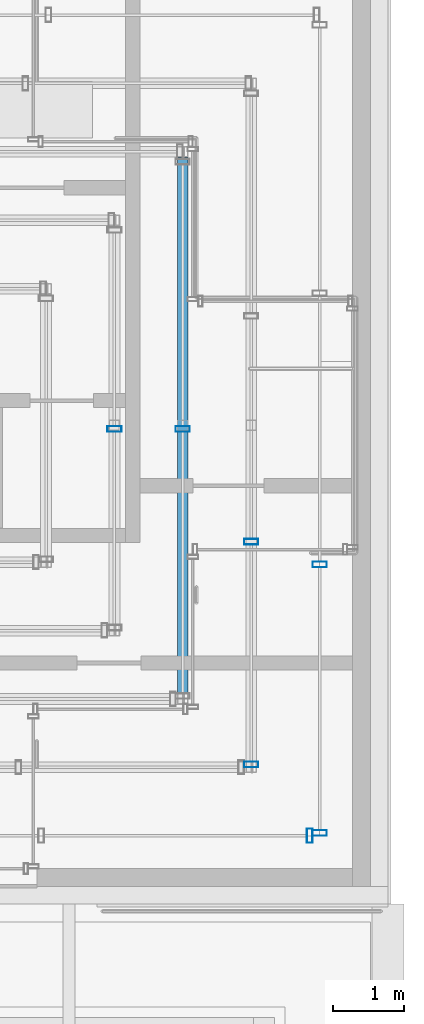
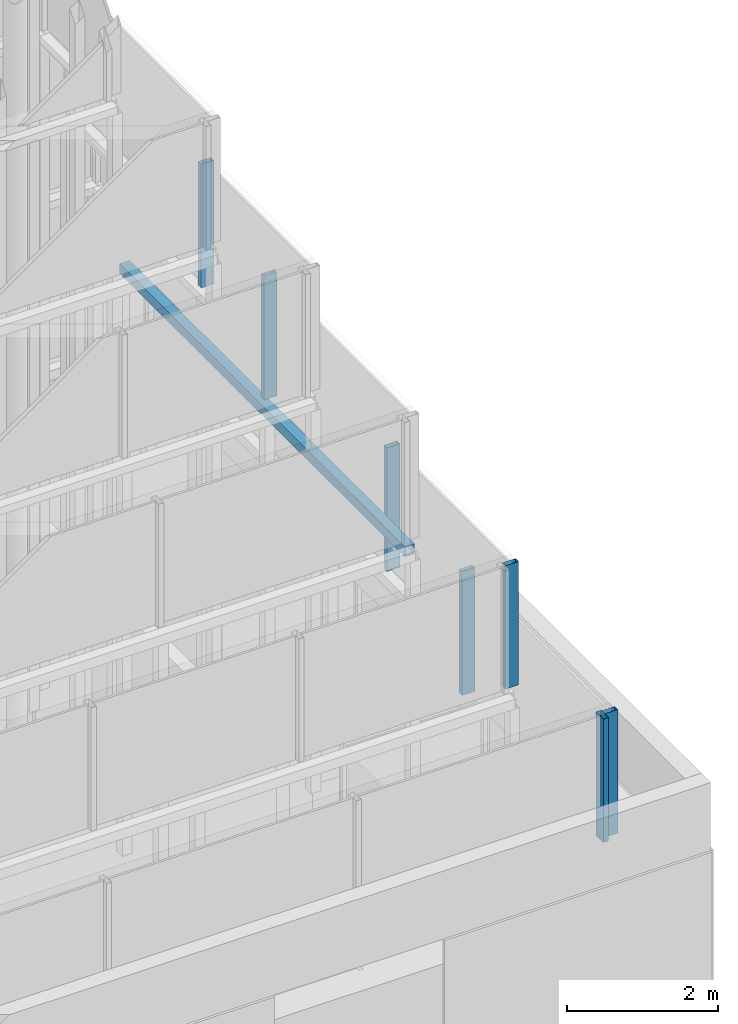
# One storey, part 42 of 62: 7 members, 1 beam, 5 elements without a shape of their own.
"""IFC4 building model written with IfcOpenShell, lengths in metres."""

from ifc_helpers import new_model, si_unit, direction, frame, origin, origin_2d, place, context, subcontext, project, spatial, hollow_rectangle, extrude, material, material_profile, profile_set, type_object, element, aggregate, save


model = new_model("IFC4")

# Units and contexts
model_context = context("Model", 3, precision=1e-05, world=origin(), true_north=direction((0.0, 1.0)))
body_context = subcontext(model_context, "Body", "Model", "MODEL_VIEW")
ifc_project = project(units=[si_unit("LENGTHUNIT", "METRE"), si_unit("AREAUNIT", "SQUARE_METRE"), si_unit("VOLUMEUNIT", "CUBIC_METRE"), si_unit("PLANEANGLEUNIT", "RADIAN"), si_unit("MASSUNIT", "GRAM", prefix="KILO")], contexts=[model_context])

# Site, building, storey
site_placement = place(None, origin())
site = spatial("IfcSite", under=ifc_project, at=site_placement, CompositionType="ELEMENT")
building_placement = place(site_placement, origin())
building = spatial("IfcBuilding", under=site, at=building_placement, Name="Altepetl Exchange Towers", CompositionType="ELEMENT")
storey_placement = place(building_placement, frame((0.0, 0.0, 210.0)))
storey = spatial("IfcBuildingStorey", under=building, at=storey_placement, Name="L53", CompositionType="ELEMENT", Elevation=210.0)

# Beam
ifc_material_1 = material(Name="Steel S355", Category="steel")
ifc_material_profile_1 = material_profile(ifc_material_1, hollow_rectangle(XDim=0.14990234375, YDim=0.159912109375, WallThickness=0.008056640625, at=origin_2d()), Name="RHS 160x150x8")
ifc_profile_set_1 = profile_set([ifc_material_profile_1], Name="Steel S355")
beam_type = type_object("IfcBeamType", Name="Crown ring beam hollow section 150x160x8", PredefinedType="BEAM", material=ifc_profile_set_1)
beam_placement = place(storey_placement, frame((114.107177734375, 38.9677734375, 7.669921875), z_axis=(0.0, 1.0, 0.0), x_axis=(-1.0, 0.0, 0.0)))
element("IfcBeam", 1, at=beam_placement, inside=storey, type_object=beam_type, Name="Crown ring beam", PredefinedType="BEAM", context=body_context, shape_type="SweptSolid", body=[
    extrude(hollow_rectangle(XDim=0.14990234375, YDim=0.159912109375, WallThickness=0.008056640625, at=origin_2d()), origin(), (0.0, 0.0, 1.0), 7.564453125),
])

# Curtain wall, member
ifc_material_2 = material(Name="Aluminium 6063-T6 glazing", Category="aluminium")
curtain_wall_type = type_object("IfcCurtainWallType", Name="Crown glazing system", PredefinedType="NOTDEFINED", material=ifc_material_2)
curtain_wall_1_placement = place(storey_placement, origin())
curtain_wall_1 = element("IfcCurtainWall", 2, at=curtain_wall_1_placement, inside=storey, type_object=curtain_wall_type, Name="CW7 run", PredefinedType="NOTDEFINED")
ifc_material_3 = material(Name="Aluminium 6063-T6", Category="aluminium")
ifc_material_profile_2 = material_profile(ifc_material_3, hollow_rectangle(XDim=0.080078125, YDim=0.199951171875, WallThickness=0.0029296875, at=origin_2d()), Name="Mullion 80x200 hollow aluminium")
ifc_profile_set_2 = profile_set([ifc_material_profile_2], Name="Aluminium 6063-T6")
member_type = type_object("IfcMemberType", Name="Mullion 80x200 hollow aluminium", PredefinedType="MULLION", material=ifc_profile_set_2)
member_1_placement = place(storey_placement, frame((115.895751953125, 36.96435546875, 3.60009765625)))
member_1 = element("IfcMember", 3, at=member_1_placement, type_object=member_type, Name="MU5 mullion", PredefinedType="MULLION", context=body_context, shape_type="SweptSolid", body=[
    extrude(hollow_rectangle(XDim=0.080078125, YDim=0.199951171875, WallThickness=0.0029296875, at=origin_2d()), origin(), (0.0, 0.0, 1.0), 2.0),
])
aggregate(curtain_wall_1, [member_1])

# Curtain wall, members
curtain_wall_2_placement = place(storey_placement, origin())
curtain_wall_2 = element("IfcCurtainWall", 4, at=curtain_wall_2_placement, inside=storey, type_object=curtain_wall_type, Name="CW7 run", PredefinedType="NOTDEFINED")
member_2_placement = place(storey_placement, frame((116.03564453125, 37.00439453125, 3.60009765625), z_axis=(0.0, 0.0, 1.0), x_axis=(0.0, 1.0, 0.0)))
member_2 = element("IfcMember", 5, at=member_2_placement, type_object=member_type, Name="MU5 mullion", PredefinedType="MULLION", context=body_context, shape_type="SweptSolid", body=[
    extrude(hollow_rectangle(XDim=0.080078125, YDim=0.199951171875, WallThickness=0.0029296875, at=origin_2d()), origin(), (0.0, 0.0, 1.0), 2.0),
])
member_3_placement = place(storey_placement, frame((116.03564453125, 40.7880859375, 3.60009765625), z_axis=(0.0, 0.0, 1.0), x_axis=(0.0, 1.0, 0.0)))
member_3 = element("IfcMember", 6, at=member_3_placement, type_object=member_type, Name="MU5 mullion", PredefinedType="MULLION", context=body_context, shape_type="SweptSolid", body=[
    extrude(hollow_rectangle(XDim=0.080078125, YDim=0.199951171875, WallThickness=0.0029296875, at=origin_2d()), origin(), (0.0, 0.0, 1.0), 2.0),
])
aggregate(curtain_wall_2, [member_2, member_3])

curtain_wall_3_placement = place(storey_placement, origin())
curtain_wall_3 = element("IfcCurtainWall", 7, at=curtain_wall_3_placement, inside=storey, type_object=curtain_wall_type, Name="CW7 run", PredefinedType="NOTDEFINED")
member_4_placement = place(storey_placement, frame((115.071533203125, 37.968505859375, 5.75), z_axis=(0.0, 0.0, 1.0), x_axis=(0.0, 1.0, 0.0)))
member_4 = element("IfcMember", 8, at=member_4_placement, type_object=member_type, Name="MU5 mullion", PredefinedType="MULLION", context=body_context, shape_type="SweptSolid", body=[
    extrude(hollow_rectangle(XDim=0.080078125, YDim=0.199951171875, WallThickness=0.0029296875, at=origin_2d()), origin(), (0.0, 0.0, 1.0), 2.0),
])
member_5_placement = place(storey_placement, frame((115.071533203125, 41.109619140625, 5.75), z_axis=(0.0, 0.0, 1.0), x_axis=(0.0, 1.0, 0.0)))
member_5 = element("IfcMember", 9, at=member_5_placement, type_object=member_type, Name="MU5 mullion", PredefinedType="MULLION", context=body_context, shape_type="SweptSolid", body=[
    extrude(hollow_rectangle(XDim=0.080078125, YDim=0.199951171875, WallThickness=0.0029296875, at=origin_2d()), origin(), (0.0, 0.0, 1.0), 2.0),
])
aggregate(curtain_wall_3, [member_4, member_5])

# Curtain wall, member
curtain_wall_4_placement = place(storey_placement, origin())
curtain_wall_4 = element("IfcCurtainWall", 10, at=curtain_wall_4_placement, inside=storey, type_object=curtain_wall_type, Name="CW7 run", PredefinedType="NOTDEFINED")
member_6_placement = place(storey_placement, frame((114.107177734375, 42.699951171875, 7.89990234375), z_axis=(0.0, 0.0, 1.0), x_axis=(0.0, 1.0, 0.0)))
member_6 = element("IfcMember", 11, at=member_6_placement, type_object=member_type, Name="MU5 mullion", PredefinedType="MULLION", context=body_context, shape_type="SweptSolid", body=[
    extrude(hollow_rectangle(XDim=0.080078125, YDim=0.199951171875, WallThickness=0.0029296875, at=origin_2d()), origin(), (0.0, 0.0, 1.0), 2.0),
])
aggregate(curtain_wall_4, [member_6])

curtain_wall_5_placement = place(storey_placement, origin())
curtain_wall_5 = element("IfcCurtainWall", 12, at=curtain_wall_5_placement, inside=storey, type_object=curtain_wall_type, Name="CW7 run", PredefinedType="NOTDEFINED")
member_7_placement = place(storey_placement, frame((113.142822265625, 42.699951171875, 10.050048828125), z_axis=(0.0, 0.0, 1.0), x_axis=(0.0, 1.0, 0.0)))
member_7 = element("IfcMember", 13, at=member_7_placement, type_object=member_type, Name="MU5 mullion", PredefinedType="MULLION", context=body_context, shape_type="SweptSolid", body=[
    extrude(hollow_rectangle(XDim=0.080078125, YDim=0.199951171875, WallThickness=0.0029296875, at=origin_2d()), origin(), (0.0, 0.0, 1.0), 2.0),
])
aggregate(curtain_wall_5, [member_7])

save(model, "model.ifc")
